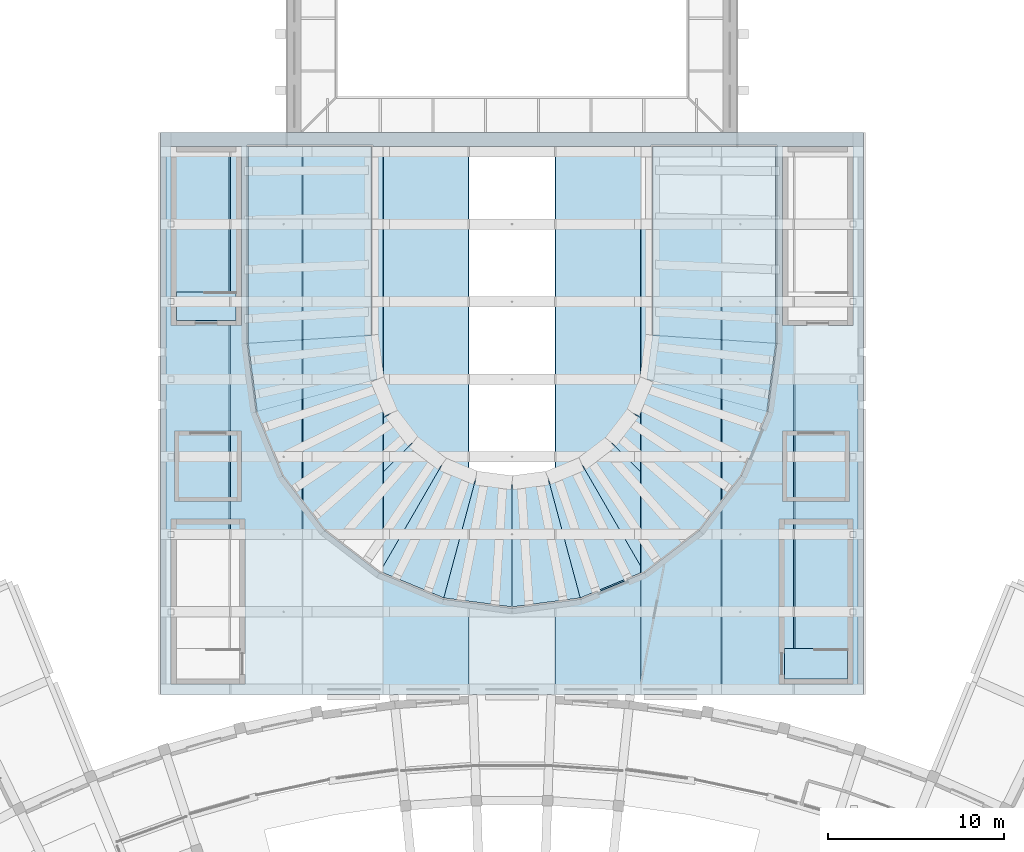
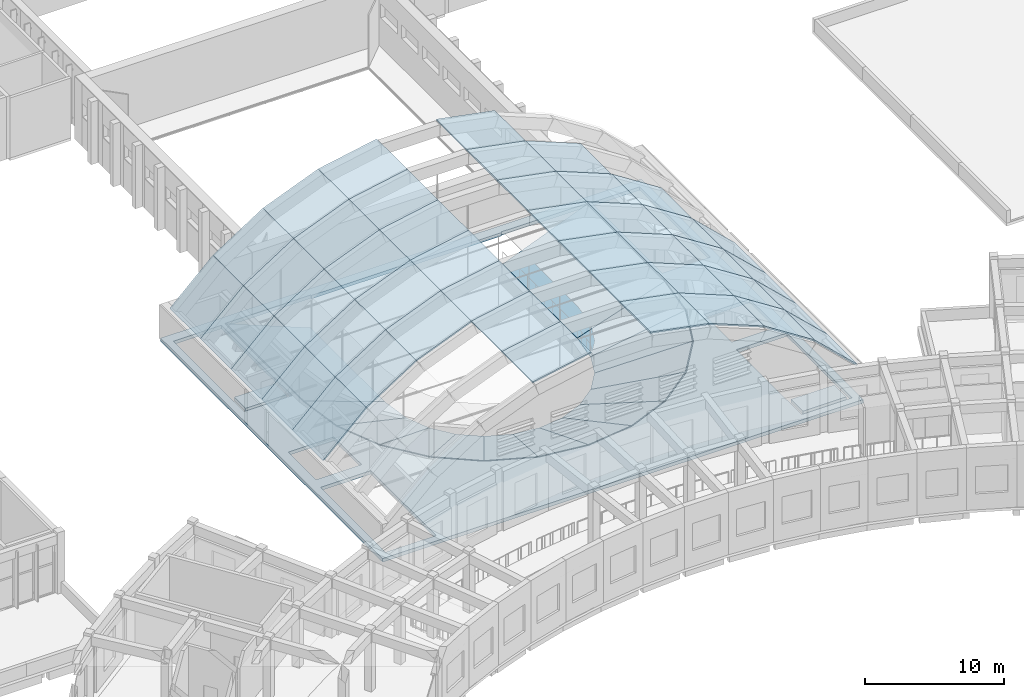
# One storey, part 56 of 94: 61 slabs.
"""IFC4 building model written with IfcOpenShell, lengths in metres."""

from ifc_helpers import new_model, si_unit, direction, frame, origin, place, context, subcontext, project, spatial, polyline, outline, extrude, material, layer, layer_set, type_object, element, save


model = new_model("IFC4")

# Units and contexts
model_context = context("Model", 3, precision=1e-05, world=origin(), true_north=direction((0.0, 1.0)))
body_context = subcontext(model_context, "Body", "Model", "MODEL_VIEW")
ifc_project = project(units=[si_unit("LENGTHUNIT", "METRE"), si_unit("AREAUNIT", "SQUARE_METRE"), si_unit("VOLUMEUNIT", "CUBIC_METRE"), si_unit("PLANEANGLEUNIT", "RADIAN"), si_unit("MASSUNIT", "GRAM", prefix="KILO")], contexts=[model_context])

# Site, building, storey
site_placement = place(None, origin())
site = spatial("IfcSite", under=ifc_project, at=site_placement, CompositionType="ELEMENT")
building_placement = place(site_placement, origin())
building = spatial("IfcBuilding", under=site, at=building_placement, Name="Lunette Opera House", CompositionType="ELEMENT")
storey_placement = place(building_placement, frame((0.0, 0.0, 22.5)))
storey = spatial("IfcBuildingStorey", under=building, at=storey_placement, Name="L04", CompositionType="ELEMENT", Elevation=22.5)

# Slabs
ifc_material_1 = material(Name="Concrete C35/45", Category="concrete")
ifc_layer_1 = layer(ifc_material_1, 0.300048828125)
ifc_layer_set_1 = layer_set([ifc_layer_1], Name="Concrete C35/45")
slab_type_1 = type_object("IfcSlabType", Name="CORE LANDING SLAB 300", PredefinedType="LANDING", material=ifc_layer_set_1)
slab_1_placement = place(storey_placement, frame((0.0, 0.0, -0.300048828125)))
element("IfcSlab", 1, at=slab_1_placement, inside=storey, type_object=slab_type_1, Name="ST10 floor landing", PredefinedType="LANDING", context=body_context, shape_type="SweptSolid", body=[
    extrude(outline(polyline([(80.300048828125, 86.919921875), (80.300048828125, 85.300048828125), (76.89990234375, 85.300048828125), (76.89990234375, 86.929931640625), (78.52001953125, 86.929931640625), (78.52001953125, 86.919921875), (80.300048828125, 86.919921875)])), origin(), (0.0, 0.0, 1.0), 0.300048828125),
])
slab_2_placement = place(storey_placement, frame((0.0, 0.0, -0.300048828125)))
element("IfcSlab", 2, at=slab_2_placement, inside=storey, type_object=slab_type_1, Name="ST8 floor landing", PredefinedType="LANDING", context=body_context, shape_type="SweptSolid", body=[
    extrude(outline(polyline([(115.10009765625, 66.6201171875), (115.10009765625, 64.89990234375), (111.5, 64.89990234375), (111.5, 66.6298828125), (113.219970703125, 66.6298828125), (113.219970703125, 66.6201171875), (115.10009765625, 66.6201171875)])), origin(), (0.0, 0.0, 1.0), 0.300048828125),
])
ifc_material_2 = material(Name="Concrete C35/45", Category="concrete")
ifc_layer_2 = layer(ifc_material_2, 0.300048828125)
ifc_layer_set_2 = layer_set([ifc_layer_2], Name="Concrete C35/45")
slab_type_2 = type_object("IfcSlabType", Name="FLOOR SLAB 300", PredefinedType="FLOOR", material=ifc_layer_set_2)
slab_3_placement = place(storey_placement, frame((0.0, 0.0, -0.300048828125)))
element("IfcSlab", 3, at=slab_3_placement, inside=storey, type_object=slab_type_2, Name="slab-AU-L04-F1", PredefinedType="FLOOR", context=body_context, shape_type="SweptSolid", body=[
    extrude(outline(polyline([(116.0, 96.0), (76.0, 96.0), (76.0, 64.0), (116.0, 64.0), (116.0, 96.0)]), holes=[polyline([(88.080078125, 95.199951171875), (103.919921875, 95.199951171875), (103.919921875, 95.280029296875), (111.080078125, 95.280029296875), (111.080078125, 83.9951171875), (110.56689453125, 80.096923828125), (109.06005859375, 76.4599609375), (106.6640625, 73.3359375), (103.5400390625, 70.93994140625), (99.903076171875, 69.43310546875), (96.0, 68.9189453125), (92.096923828125, 69.43310546875), (88.4599609375, 70.93994140625), (85.3359375, 73.3359375), (82.93994140625, 76.4599609375), (81.43310546875, 80.096923828125), (80.919921875, 83.9951171875), (80.919921875, 95.280029296875), (88.080078125, 95.280029296875), (88.080078125, 95.199951171875)]), polyline([(80.800048828125, 64.60009765625), (76.60009765625, 64.60009765625), (76.60009765625, 74.0), (80.800048828125, 74.0), (80.800048828125, 64.60009765625)]), polyline([(111.199951171875, 64.60009765625), (111.199951171875, 74.0), (115.39990234375, 74.0), (115.39990234375, 64.60009765625), (111.199951171875, 64.60009765625)]), polyline([(76.800048828125, 75.0), (76.800048828125, 79.0), (80.60009765625, 79.0), (80.60009765625, 75.0), (76.800048828125, 75.0)]), polyline([(115.199951171875, 75.0), (111.39990234375, 75.0), (111.39990234375, 79.0), (115.199951171875, 79.0), (115.199951171875, 75.0)]), polyline([(76.60009765625, 85.0), (76.60009765625, 95.199951171875), (80.60009765625, 95.199951171875), (80.60009765625, 85.0), (76.60009765625, 85.0)]), polyline([(111.39990234375, 85.0), (111.39990234375, 95.199951171875), (115.39990234375, 95.199951171875), (115.39990234375, 85.0), (111.39990234375, 85.0)])]), origin(), (0.0, 0.0, 1.0), 0.300048828125),
])
ifc_material_3 = material(Name="Concrete C40/50", Category="concrete")
ifc_layer_3 = layer(ifc_material_3, 0.1201171875)
ifc_layer_set_3 = layer_set([ifc_layer_3], Name="Concrete C40/50")
slab_type_3 = type_object("IfcSlabType", Name="SHELL STRIP 120", PredefinedType="ROOF", material=ifc_layer_set_3)
for number, where, z_axis, x_axis, name in (
    (4, (88.656005859375, 64.300048828125, 10.944091796875), (-0.189280439254, 0.0, 0.981923069958), (0.981923069958, 0.0, 0.189280439254), "slab-AU-L04-BS1-4"),
    (5, (98.47802734375, 64.300048828125, 11.882080078125), (0.189280439254, 0.0, 0.981923069958), (0.981923069958, 0.0, -0.189280439254), "slab-AU-L04-BS1-6"),
):
    element("IfcSlab", number, at=place(storey_placement, frame(where, z_axis=z_axis, x_axis=x_axis)), inside=storey, type_object=slab_type_3, Name=name, PredefinedType="ROOF", context=body_context, shape_type="SweptSolid", body=[
        extrude(outline(polyline([(0.0, 0.0), (4.955547889391473, 0.0), (4.955547889391473, 4.4140625), (0.0, 4.4140625), (0.0, 0.0)])), origin(), (0.0, 0.0, -1.0), 0.1201171875),
    ])
slab_4_placement = place(storey_placement, frame((103.343994140625, 64.300048828125, 10.944091796875), z_axis=(0.371840739354, 0.0, 0.928296539128), x_axis=(0.928296539128, 0.0, -0.371840739354)))
element("IfcSlab", 6, at=slab_4_placement, inside=storey, type_object=slab_type_3, Name="slab-AU-L04-BS1-7", PredefinedType="ROOF", context=body_context, shape_type="SweptSolid", body=[
    extrude(outline(polyline([(0.0, 0.0), (4.9564702924282384, 0.0), (4.9564702924282384, 4.4140625), (0.0, 4.4140625), (0.0, 0.0)])), origin(), (0.0, 0.0, -1.0), 0.1201171875),
])
slab_5_placement = place(storey_placement, frame((107.945068359375, 64.300048828125, 9.10107421875), z_axis=(0.540777508608, 0.0, 0.841165671068), x_axis=(0.841165671068, 0.0, -0.540777508608)))
element("IfcSlab", 7, at=slab_5_placement, inside=storey, type_object=slab_type_3, Name="slab-AU-L04-BS1-8", PredefinedType="ROOF", context=body_context, shape_type="SweptSolid", body=[
    extrude(outline(polyline([(0.0, 0.0), (4.956152463051835, 0.0), (4.956152463051835, 4.4140625), (0.0, 4.4140625), (0.0, 0.0)])), origin(), (0.0, 0.0, -1.0), 0.1201171875),
])
slab_6_placement = place(storey_placement, frame((112.114013671875, 64.300048828125, 6.4208984375), z_axis=(0.690260134545, 0.0, 0.723561294333), x_axis=(0.723561294333, 0.0, -0.690260134545)))
element("IfcSlab", 8, at=slab_6_placement, inside=storey, type_object=slab_type_3, Name="slab-AU-L04-BS1-9", PredefinedType="ROOF", context=body_context, shape_type="SweptSolid", body=[
    extrude(outline(polyline([(0.0, 0.0), (4.955955394633429, 0.0), (4.955955394633429, 4.4140625), (0.0, 4.4140625), (0.0, 0.0)])), origin(), (0.0, 0.0, -1.0), 0.1201171875),
])
for number, where, z_axis, x_axis, name in (
    (9, (88.656005859375, 68.714111328125, 10.944091796875), (-0.189280439254, 0.0, 0.981923069958), (0.981923069958, 0.0, 0.189280439254), "slab-AU-L04-BS2-4"),
    (10, (98.47802734375, 68.714111328125, 11.882080078125), (0.189280439254, 0.0, 0.981923069958), (0.981923069958, 0.0, -0.189280439254), "slab-AU-L04-BS2-6"),
):
    element("IfcSlab", number, at=place(storey_placement, frame(where, z_axis=z_axis, x_axis=x_axis)), inside=storey, type_object=slab_type_3, Name=name, PredefinedType="ROOF", context=body_context, shape_type="SweptSolid", body=[
        extrude(outline(polyline([(0.0, 0.0), (4.955547889391473, 0.0), (4.955547889391473, 4.414794921875), (0.0, 4.414794921875), (0.0, 0.0)])), origin(), (0.0, 0.0, -1.0), 0.1201171875),
    ])
slab_7_placement = place(storey_placement, frame((103.343994140625, 68.714111328125, 10.944091796875), z_axis=(0.371840739354, 0.0, 0.928296539128), x_axis=(0.928296539128, 0.0, -0.371840739354)))
element("IfcSlab", 11, at=slab_7_placement, inside=storey, type_object=slab_type_3, Name="slab-AU-L04-BS2-7", PredefinedType="ROOF", context=body_context, shape_type="SweptSolid", body=[
    extrude(outline(polyline([(0.0, 0.0), (4.9564702924282384, 0.0), (4.9564702924282384, 4.414794921875), (0.0, 4.414794921875), (0.0, 0.0)])), origin(), (0.0, 0.0, -1.0), 0.1201171875),
])
slab_8_placement = place(storey_placement, frame((107.945068359375, 68.714111328125, 9.10107421875), z_axis=(0.540777508608, 0.0, 0.841165671068), x_axis=(0.841165671068, 0.0, -0.540777508608)))
element("IfcSlab", 12, at=slab_8_placement, inside=storey, type_object=slab_type_3, Name="slab-AU-L04-BS2-8", PredefinedType="ROOF", context=body_context, shape_type="SweptSolid", body=[
    extrude(outline(polyline([(0.0, 0.0), (4.956152463051835, 0.0), (4.956152463051835, 4.414794921875), (0.0, 4.414794921875), (0.0, 0.0)])), origin(), (0.0, 0.0, -1.0), 0.1201171875),
])
slab_9_placement = place(storey_placement, frame((112.114013671875, 68.714111328125, 6.4208984375), z_axis=(0.690260134545, 0.0, 0.723561294333), x_axis=(0.723561294333, 0.0, -0.690260134545)))
element("IfcSlab", 13, at=slab_9_placement, inside=storey, type_object=slab_type_3, Name="slab-AU-L04-BS2-9", PredefinedType="ROOF", context=body_context, shape_type="SweptSolid", body=[
    extrude(outline(polyline([(0.0, 0.0), (4.955955394633429, 0.0), (4.955955394633429, 4.414794921874999), (0.0, 4.414794921874999), (0.0, 0.0)])), origin(), (0.0, 0.0, -1.0), 0.1201171875),
])
slab_10_placement = place(storey_placement, frame((76.300048828125, 73.12890625, 3.0), z_axis=(-0.690260134545, 0.0, 0.723561294333), x_axis=(0.723561294333, 0.0, 0.690260134545)))
element("IfcSlab", 14, at=slab_10_placement, inside=storey, type_object=slab_type_3, Name="slab-AU-L04-BS3-1", PredefinedType="ROOF", context=body_context, shape_type="SweptSolid", body=[
    extrude(outline(polyline([(0.0, 0.0), (4.955955394633429, 0.0), (4.955955394633429, 4.4140625), (0.0, 4.4140625), (0.0, 0.0)])), origin(), (0.0, 0.0, -1.0), 0.1201171875),
])
slab_11_placement = place(storey_placement, frame((79.885986328125, 73.12890625, 6.4208984375), z_axis=(-0.540777508608, 0.0, 0.841165671068), x_axis=(0.841165671068, 0.0, 0.540777508608)))
element("IfcSlab", 15, at=slab_11_placement, inside=storey, type_object=slab_type_3, Name="slab-AU-L04-BS3-2", PredefinedType="ROOF", context=body_context, shape_type="SweptSolid", body=[
    extrude(outline(polyline([(0.0, 0.0), (4.956152463051835, 0.0), (4.956152463051835, 4.4140625), (0.0, 4.4140625), (0.0, 0.0)])), origin(), (0.0, 0.0, -1.0), 0.1201171875),
])
slab_12_placement = place(storey_placement, frame((84.054931640625, 73.12890625, 9.10107421875), z_axis=(-0.371840739354, 0.0, 0.928296539128), x_axis=(0.928296539128, 0.0, 0.371840739354)))
element("IfcSlab", 16, at=slab_12_placement, inside=storey, type_object=slab_type_3, Name="slab-AU-L04-BS3-3", PredefinedType="ROOF", context=body_context, shape_type="SweptSolid", body=[
    extrude(outline(polyline([(0.0, 0.0), (4.9564702924282384, 0.0), (4.9564702924282384, 4.4140625), (0.0, 4.4140625), (0.0, 0.0)])), origin(), (0.0, 0.0, -1.0), 0.1201171875),
])
for number, where, z_axis, x_axis, name in (
    (17, (88.656005859375, 73.12890625, 10.944091796875), (-0.189280439254, 0.0, 0.981923069958), (0.981923069958, 0.0, 0.189280439254), "slab-AU-L04-BS3-4"),
    (18, (98.47802734375, 73.12890625, 11.882080078125), (0.189280439254, 0.0, 0.981923069958), (0.981923069958, 0.0, -0.189280439254), "slab-AU-L04-BS3-6"),
):
    element("IfcSlab", number, at=place(storey_placement, frame(where, z_axis=z_axis, x_axis=x_axis)), inside=storey, type_object=slab_type_3, Name=name, PredefinedType="ROOF", context=body_context, shape_type="SweptSolid", body=[
        extrude(outline(polyline([(0.0, 0.0), (4.955547889391473, 0.0), (4.955547889391473, 4.4140625), (0.0, 4.4140625), (0.0, 0.0)])), origin(), (0.0, 0.0, -1.0), 0.1201171875),
    ])
slab_13_placement = place(storey_placement, frame((103.343994140625, 73.12890625, 10.944091796875), z_axis=(0.371840739354, 0.0, 0.928296539128), x_axis=(0.928296539128, 0.0, -0.371840739354)))
element("IfcSlab", 19, at=slab_13_placement, inside=storey, type_object=slab_type_3, Name="slab-AU-L04-BS3-7", PredefinedType="ROOF", context=body_context, shape_type="SweptSolid", body=[
    extrude(outline(polyline([(0.0, 0.0), (4.9564702924282384, 0.0), (4.9564702924282384, 4.4140625), (0.0, 4.4140625), (0.0, 0.0)])), origin(), (0.0, 0.0, -1.0), 0.1201171875),
])
slab_14_placement = place(storey_placement, frame((107.945068359375, 73.12890625, 9.10107421875), z_axis=(0.540777508608, 0.0, 0.841165671068), x_axis=(0.841165671068, 0.0, -0.540777508608)))
element("IfcSlab", 20, at=slab_14_placement, inside=storey, type_object=slab_type_3, Name="slab-AU-L04-BS3-8", PredefinedType="ROOF", context=body_context, shape_type="SweptSolid", body=[
    extrude(outline(polyline([(0.0, 0.0), (4.956152463051835, 0.0), (4.956152463051835, 4.4140625), (0.0, 4.4140625), (0.0, 0.0)])), origin(), (0.0, 0.0, -1.0), 0.1201171875),
])
for number, where, z_axis, x_axis, name in (
    (21, (112.114013671875, 73.12890625, 6.4208984375), (0.690260134545, 0.0, 0.723561294333), (0.723561294333, 0.0, -0.690260134545), "slab-AU-L04-BS3-9"),
    (22, (76.300048828125, 77.54296875, 3.0), (-0.690260134545, 0.0, 0.723561294333), (0.723561294333, 0.0, 0.690260134545), "slab-AU-L04-BS4-1"),
):
    element("IfcSlab", number, at=place(storey_placement, frame(where, z_axis=z_axis, x_axis=x_axis)), inside=storey, type_object=slab_type_3, Name=name, PredefinedType="ROOF", context=body_context, shape_type="SweptSolid", body=[
        extrude(outline(polyline([(0.0, 0.0), (4.955955394633429, 0.0), (4.955955394633429, 4.4140625), (0.0, 4.4140625), (0.0, 0.0)])), origin(), (0.0, 0.0, -1.0), 0.1201171875),
    ])
slab_15_placement = place(storey_placement, frame((79.885986328125, 77.54296875, 6.4208984375), z_axis=(-0.540777508608, 0.0, 0.841165671068), x_axis=(0.841165671068, 0.0, 0.540777508608)))
element("IfcSlab", 23, at=slab_15_placement, inside=storey, type_object=slab_type_3, Name="slab-AU-L04-BS4-2", PredefinedType="ROOF", context=body_context, shape_type="SweptSolid", body=[
    extrude(outline(polyline([(0.0, 0.0), (4.956152463051835, 0.0), (4.956152463051835, 4.4140625), (0.0, 4.4140625), (0.0, 0.0)])), origin(), (0.0, 0.0, -1.0), 0.1201171875),
])
slab_16_placement = place(storey_placement, frame((84.054931640625, 77.54296875, 9.10107421875), z_axis=(-0.371840739354, 0.0, 0.928296539128), x_axis=(0.928296539128, 0.0, 0.371840739354)))
element("IfcSlab", 24, at=slab_16_placement, inside=storey, type_object=slab_type_3, Name="slab-AU-L04-BS4-3", PredefinedType="ROOF", context=body_context, shape_type="SweptSolid", body=[
    extrude(outline(polyline([(0.0, 0.0), (4.9564702924282384, 0.0), (4.9564702924282384, 4.4140625), (0.0, 4.4140625), (0.0, 0.0)])), origin(), (0.0, 0.0, -1.0), 0.1201171875),
])
for number, where, z_axis, x_axis, name in (
    (25, (88.656005859375, 77.54296875, 10.944091796875), (-0.189280439254, 0.0, 0.981923069958), (0.981923069958, 0.0, 0.189280439254), "slab-AU-L04-BS4-4"),
    (26, (98.47802734375, 77.54296875, 11.882080078125), (0.189280439254, 0.0, 0.981923069958), (0.981923069958, 0.0, -0.189280439254), "slab-AU-L04-BS4-6"),
):
    element("IfcSlab", number, at=place(storey_placement, frame(where, z_axis=z_axis, x_axis=x_axis)), inside=storey, type_object=slab_type_3, Name=name, PredefinedType="ROOF", context=body_context, shape_type="SweptSolid", body=[
        extrude(outline(polyline([(0.0, 0.0), (4.955547889391473, 0.0), (4.955547889391473, 4.4140625), (0.0, 4.4140625), (0.0, 0.0)])), origin(), (0.0, 0.0, -1.0), 0.1201171875),
    ])
slab_17_placement = place(storey_placement, frame((103.343994140625, 77.54296875, 10.944091796875), z_axis=(0.371840739354, 0.0, 0.928296539128), x_axis=(0.928296539128, 0.0, -0.371840739354)))
element("IfcSlab", 27, at=slab_17_placement, inside=storey, type_object=slab_type_3, Name="slab-AU-L04-BS4-7", PredefinedType="ROOF", context=body_context, shape_type="SweptSolid", body=[
    extrude(outline(polyline([(0.0, 0.0), (4.9564702924282384, 0.0), (4.9564702924282384, 4.4140625), (0.0, 4.4140625), (0.0, 0.0)])), origin(), (0.0, 0.0, -1.0), 0.1201171875),
])
slab_18_placement = place(storey_placement, frame((107.945068359375, 77.54296875, 9.10107421875), z_axis=(0.540777508608, 0.0, 0.841165671068), x_axis=(0.841165671068, 0.0, -0.540777508608)))
element("IfcSlab", 28, at=slab_18_placement, inside=storey, type_object=slab_type_3, Name="slab-AU-L04-BS4-8", PredefinedType="ROOF", context=body_context, shape_type="SweptSolid", body=[
    extrude(outline(polyline([(0.0, 0.0), (4.956152463051835, 0.0), (4.956152463051835, 4.4140625), (0.0, 4.4140625), (0.0, 0.0)])), origin(), (0.0, 0.0, -1.0), 0.1201171875),
])
for number, where, z_axis, x_axis, name in (
    (29, (112.114013671875, 77.54296875, 6.4208984375), (0.690260134545, 0.0, 0.723561294333), (0.723561294333, 0.0, -0.690260134545), "slab-AU-L04-BS4-9"),
    (30, (76.300048828125, 81.95703125, 3.0), (-0.690260134545, 0.0, 0.723561294333), (0.723561294333, 0.0, 0.690260134545), "slab-AU-L04-BS5-1"),
):
    element("IfcSlab", number, at=place(storey_placement, frame(where, z_axis=z_axis, x_axis=x_axis)), inside=storey, type_object=slab_type_3, Name=name, PredefinedType="ROOF", context=body_context, shape_type="SweptSolid", body=[
        extrude(outline(polyline([(0.0, 0.0), (4.955955394633429, 0.0), (4.955955394633429, 4.4140625), (0.0, 4.4140625), (0.0, 0.0)])), origin(), (0.0, 0.0, -1.0), 0.1201171875),
    ])
slab_19_placement = place(storey_placement, frame((79.885986328125, 81.95703125, 6.4208984375), z_axis=(-0.540777508608, 0.0, 0.841165671068), x_axis=(0.841165671068, 0.0, 0.540777508608)))
element("IfcSlab", 31, at=slab_19_placement, inside=storey, type_object=slab_type_3, Name="slab-AU-L04-BS5-2", PredefinedType="ROOF", context=body_context, shape_type="SweptSolid", body=[
    extrude(outline(polyline([(0.0, 0.0), (4.956152463051835, 0.0), (4.956152463051835, 4.4140625), (0.0, 4.4140625), (0.0, 0.0)])), origin(), (0.0, 0.0, -1.0), 0.1201171875),
])
slab_20_placement = place(storey_placement, frame((84.054931640625, 81.95703125, 9.10107421875), z_axis=(-0.371840739354, 0.0, 0.928296539128), x_axis=(0.928296539128, 0.0, 0.371840739354)))
element("IfcSlab", 32, at=slab_20_placement, inside=storey, type_object=slab_type_3, Name="slab-AU-L04-BS5-3", PredefinedType="ROOF", context=body_context, shape_type="SweptSolid", body=[
    extrude(outline(polyline([(0.0, 0.0), (4.9564702924282384, 0.0), (4.9564702924282384, 4.4140625), (0.0, 4.4140625), (0.0, 0.0)])), origin(), (0.0, 0.0, -1.0), 0.1201171875),
])
for number, where, z_axis, x_axis, name in (
    (33, (88.656005859375, 81.95703125, 10.944091796875), (-0.189280439254, 0.0, 0.981923069958), (0.981923069958, 0.0, 0.189280439254), "slab-AU-L04-BS5-4"),
    (34, (98.47802734375, 81.95703125, 11.882080078125), (0.189280439254, 0.0, 0.981923069958), (0.981923069958, 0.0, -0.189280439254), "slab-AU-L04-BS5-6"),
):
    element("IfcSlab", number, at=place(storey_placement, frame(where, z_axis=z_axis, x_axis=x_axis)), inside=storey, type_object=slab_type_3, Name=name, PredefinedType="ROOF", context=body_context, shape_type="SweptSolid", body=[
        extrude(outline(polyline([(0.0, 0.0), (4.955547889391473, 0.0), (4.955547889391473, 4.4140625), (0.0, 4.4140625), (0.0, 0.0)])), origin(), (0.0, 0.0, -1.0), 0.1201171875),
    ])
slab_21_placement = place(storey_placement, frame((103.343994140625, 81.95703125, 10.944091796875), z_axis=(0.371840739354, 0.0, 0.928296539128), x_axis=(0.928296539128, 0.0, -0.371840739354)))
element("IfcSlab", 35, at=slab_21_placement, inside=storey, type_object=slab_type_3, Name="slab-AU-L04-BS5-7", PredefinedType="ROOF", context=body_context, shape_type="SweptSolid", body=[
    extrude(outline(polyline([(0.0, 0.0), (4.9564702924282384, 0.0), (4.9564702924282384, 4.4140625), (0.0, 4.4140625), (0.0, 0.0)])), origin(), (0.0, 0.0, -1.0), 0.1201171875),
])
slab_22_placement = place(storey_placement, frame((107.945068359375, 81.95703125, 9.10107421875), z_axis=(0.540777508608, 0.0, 0.841165671068), x_axis=(0.841165671068, 0.0, -0.540777508608)))
element("IfcSlab", 36, at=slab_22_placement, inside=storey, type_object=slab_type_3, Name="slab-AU-L04-BS5-8", PredefinedType="ROOF", context=body_context, shape_type="SweptSolid", body=[
    extrude(outline(polyline([(0.0, 0.0), (4.956152463051835, 0.0), (4.956152463051835, 4.4140625), (0.0, 4.4140625), (0.0, 0.0)])), origin(), (0.0, 0.0, -1.0), 0.1201171875),
])
slab_23_placement = place(storey_placement, frame((76.300048828125, 86.37109375, 3.0), z_axis=(-0.690260134545, 0.0, 0.723561294333), x_axis=(0.723561294333, 0.0, 0.690260134545)))
element("IfcSlab", 37, at=slab_23_placement, inside=storey, type_object=slab_type_3, Name="slab-AU-L04-BS6-1", PredefinedType="ROOF", context=body_context, shape_type="SweptSolid", body=[
    extrude(outline(polyline([(0.0, 0.0), (4.955955394633429, 0.0), (4.955955394633429, 4.414794921874999), (0.0, 4.414794921874999), (0.0, 0.0)])), origin(), (0.0, 0.0, -1.0), 0.1201171875),
])
slab_24_placement = place(storey_placement, frame((79.885986328125, 86.37109375, 6.4208984375), z_axis=(-0.540777508608, 0.0, 0.841165671068), x_axis=(0.841165671068, 0.0, 0.540777508608)))
element("IfcSlab", 38, at=slab_24_placement, inside=storey, type_object=slab_type_3, Name="slab-AU-L04-BS6-2", PredefinedType="ROOF", context=body_context, shape_type="SweptSolid", body=[
    extrude(outline(polyline([(0.0, 0.0), (4.956152463051835, 0.0), (4.956152463051835, 4.414794921875), (0.0, 4.414794921875), (0.0, 0.0)])), origin(), (0.0, 0.0, -1.0), 0.1201171875),
])
slab_25_placement = place(storey_placement, frame((84.054931640625, 86.37109375, 9.10107421875), z_axis=(-0.371840739354, 0.0, 0.928296539128), x_axis=(0.928296539128, 0.0, 0.371840739354)))
element("IfcSlab", 39, at=slab_25_placement, inside=storey, type_object=slab_type_3, Name="slab-AU-L04-BS6-3", PredefinedType="ROOF", context=body_context, shape_type="SweptSolid", body=[
    extrude(outline(polyline([(0.0, 0.0), (4.9564702924282384, 0.0), (4.9564702924282384, 4.414794921875), (0.0, 4.414794921875), (0.0, 0.0)])), origin(), (0.0, 0.0, -1.0), 0.1201171875),
])
for number, where, z_axis, x_axis, name in (
    (40, (88.656005859375, 86.37109375, 10.944091796875), (-0.189280439254, 0.0, 0.981923069958), (0.981923069958, 0.0, 0.189280439254), "slab-AU-L04-BS6-4"),
    (41, (98.47802734375, 86.37109375, 11.882080078125), (0.189280439254, 0.0, 0.981923069958), (0.981923069958, 0.0, -0.189280439254), "slab-AU-L04-BS6-6"),
):
    element("IfcSlab", number, at=place(storey_placement, frame(where, z_axis=z_axis, x_axis=x_axis)), inside=storey, type_object=slab_type_3, Name=name, PredefinedType="ROOF", context=body_context, shape_type="SweptSolid", body=[
        extrude(outline(polyline([(0.0, 0.0), (4.955547889391473, 0.0), (4.955547889391473, 4.414794921875), (0.0, 4.414794921875), (0.0, 0.0)])), origin(), (0.0, 0.0, -1.0), 0.1201171875),
    ])
slab_26_placement = place(storey_placement, frame((103.343994140625, 86.37109375, 10.944091796875), z_axis=(0.371840739354, 0.0, 0.928296539128), x_axis=(0.928296539128, 0.0, -0.371840739354)))
element("IfcSlab", 42, at=slab_26_placement, inside=storey, type_object=slab_type_3, Name="slab-AU-L04-BS6-7", PredefinedType="ROOF", context=body_context, shape_type="SweptSolid", body=[
    extrude(outline(polyline([(0.0, 0.0), (4.9564702924282384, 0.0), (4.9564702924282384, 4.414794921875), (0.0, 4.414794921875), (0.0, 0.0)])), origin(), (0.0, 0.0, -1.0), 0.1201171875),
])
slab_27_placement = place(storey_placement, frame((76.300048828125, 90.785888671875, 3.0), z_axis=(-0.690260134545, 0.0, 0.723561294333), x_axis=(0.723561294333, 0.0, 0.690260134545)))
element("IfcSlab", 43, at=slab_27_placement, inside=storey, type_object=slab_type_3, Name="slab-AU-L04-BS7-1", PredefinedType="ROOF", context=body_context, shape_type="SweptSolid", body=[
    extrude(outline(polyline([(0.0, 0.0), (4.955955394633429, 0.0), (4.955955394633429, 4.4140625), (0.0, 4.4140625), (0.0, 0.0)])), origin(), (0.0, 0.0, -1.0), 0.1201171875),
])
slab_28_placement = place(storey_placement, frame((79.885986328125, 90.785888671875, 6.4208984375), z_axis=(-0.540777508608, 0.0, 0.841165671068), x_axis=(0.841165671068, 0.0, 0.540777508608)))
element("IfcSlab", 44, at=slab_28_placement, inside=storey, type_object=slab_type_3, Name="slab-AU-L04-BS7-2", PredefinedType="ROOF", context=body_context, shape_type="SweptSolid", body=[
    extrude(outline(polyline([(0.0, 0.0), (4.956152463051835, 0.0), (4.956152463051835, 4.4140625), (0.0, 4.4140625), (0.0, 0.0)])), origin(), (0.0, 0.0, -1.0), 0.1201171875),
])
slab_29_placement = place(storey_placement, frame((84.054931640625, 90.785888671875, 9.10107421875), z_axis=(-0.371840739354, 0.0, 0.928296539128), x_axis=(0.928296539128, 0.0, 0.371840739354)))
element("IfcSlab", 45, at=slab_29_placement, inside=storey, type_object=slab_type_3, Name="slab-AU-L04-BS7-3", PredefinedType="ROOF", context=body_context, shape_type="SweptSolid", body=[
    extrude(outline(polyline([(0.0, 0.0), (4.9564702924282384, 0.0), (4.9564702924282384, 4.4140625), (0.0, 4.4140625), (0.0, 0.0)])), origin(), (0.0, 0.0, -1.0), 0.1201171875),
])
for number, where, z_axis, x_axis, name in (
    (46, (88.656005859375, 90.785888671875, 10.944091796875), (-0.189280439254, 0.0, 0.981923069958), (0.981923069958, 0.0, 0.189280439254), "slab-AU-L04-BS7-4"),
    (47, (98.47802734375, 90.785888671875, 11.882080078125), (0.189280439254, 0.0, 0.981923069958), (0.981923069958, 0.0, -0.189280439254), "slab-AU-L04-BS7-6"),
):
    element("IfcSlab", number, at=place(storey_placement, frame(where, z_axis=z_axis, x_axis=x_axis)), inside=storey, type_object=slab_type_3, Name=name, PredefinedType="ROOF", context=body_context, shape_type="SweptSolid", body=[
        extrude(outline(polyline([(0.0, 0.0), (4.955547889391473, 0.0), (4.955547889391473, 4.4140625), (0.0, 4.4140625), (0.0, 0.0)])), origin(), (0.0, 0.0, -1.0), 0.1201171875),
    ])
ifc_material_4 = material(Name="Concrete C35/45", Category="concrete")
ifc_layer_4 = layer(ifc_material_4, 0.199951171875)
ifc_layer_set_4 = layer_set([ifc_layer_4], Name="Concrete C35/45")
slab_type_4 = type_object("IfcSlabType", Name="TIER SLAB 200", PredefinedType="FLOOR", material=ifc_layer_set_4)
slab_30_placement = place(storey_placement, frame((81.0, 95.199951171875, 0.0), z_axis=(0.371396259558, 0.0, 0.928474457584), x_axis=(0.0, -1.0, 0.0)))
element("IfcSlab", 48, at=slab_30_placement, inside=storey, type_object=slab_type_4, Name="slab-AU-L04-T3-01", PredefinedType="FLOOR", context=body_context, shape_type="SweptSolid", body=[
    extrude(outline(polyline([(0.0, 0.0), (11.199951171875, 0.0), (10.740966796875, 7.539248864434983), (0.0, 7.539248864434983), (0.0, 0.0)])), origin(), (0.0, 0.0, -1.0), 0.199951171875),
])
slab_31_placement = place(storey_placement, frame((81.0, 84.0, 0.0), z_axis=(0.368213633983, 0.048475792946, 0.928476611039), x_axis=(0.130504556923, -0.99144770944, 8.246545e-06)))
element("IfcSlab", 49, at=slab_31_placement, inside=storey, type_object=slab_type_4, Name="slab-AU-L04-T3-02", PredefinedType="FLOOR", context=body_context, shape_type="SweptSolid", body=[
    extrude(outline(polyline([(0.0, 0.0), (3.915565445666337, -5.551115123125783e-17), (2.9940702211997303, 7.539424635153976), (0.4584498004736849, 7.539281389868302), (0.0, 0.0)])), origin(), (0.0, 0.0, -1.0), 0.199951171875),
])
slab_32_placement = place(storey_placement, frame((81.510986328125, 80.117919921875, 0.0), z_axis=(0.343129446735, 0.142139136299, 0.928471135101), x_axis=(0.382767842276, -0.923844563888, -2.6333142e-05)))
element("IfcSlab", 50, at=slab_32_placement, inside=storey, type_object=slab_type_4, Name="slab-AU-L04-T3-03", PredefinedType="FLOOR", context=body_context, shape_type="SweptSolid", body=[
    extrude(outline(polyline([(0.0, 0.0), (3.9161736191003853, -2.220446049250313e-16), (2.9952967977294467, 7.5388679073239935), (0.9225754327753016, 7.539292528983991), (0.0, 0.0)])), origin(), (0.0, 0.0, -1.0), 0.199951171875),
])
slab_33_placement = place(storey_placement, frame((83.010009765625, 76.5, 0.0), z_axis=(0.294661424152, 0.226068605478, 0.928475972082), x_axis=(0.608618256953, -0.793463178335, 4.3934217e-05)))
element("IfcSlab", 51, at=slab_33_placement, inside=storey, type_object=slab_type_4, Name="slab-AU-L04-T3-04", PredefinedType="FLOOR", context=body_context, shape_type="SweptSolid", body=[
    extrude(outline(polyline([(0.0, 0.0), (3.91560918300972, -2.220446049250313e-16), (2.9925702746330813, 7.539679785752867), (0.9200290604980516, 7.538971411941043), (0.0, 0.0)])), origin(), (0.0, 0.0, -1.0), 0.199951171875),
])
slab_34_placement = place(storey_placement, frame((85.39306640625, 73.39306640625, 0.0), z_axis=(0.226068605478, 0.294661424152, 0.928475972082), x_axis=(0.793463178335, -0.608618256953, -4.3934217e-05)))
element("IfcSlab", 52, at=slab_34_placement, inside=storey, type_object=slab_type_4, Name="slab-AU-L04-T3-05", PredefinedType="FLOOR", context=body_context, shape_type="SweptSolid", body=[
    extrude(outline(polyline([(0.0, 0.0), (3.91560918300972, 2.220446049250313e-16), (2.995580122511669, 7.538971411941043), (0.9230389083766383, 7.539679785752869), (0.0, 0.0)])), origin(), (0.0, 0.0, -1.0), 0.199951171875),
])
slab_35_placement = place(storey_placement, frame((88.5, 71.010009765625, 0.0), z_axis=(0.142139136299, 0.343129446735, 0.928471135101), x_axis=(0.923844563888, -0.382767842276, 2.6333142e-05)))
element("IfcSlab", 53, at=slab_35_placement, inside=storey, type_object=slab_type_4, Name="slab-AU-L04-T3-06", PredefinedType="FLOOR", context=body_context, shape_type="SweptSolid", body=[
    extrude(outline(polyline([(0.0, 0.0), (3.9161736191003853, 2.220446049250313e-16), (2.9935981863250833, 7.539292528983991), (0.9208768213709387, 7.5388679073239935), (0.0, 0.0)])), origin(), (0.0, 0.0, -1.0), 0.199951171875),
])
slab_36_placement = place(storey_placement, frame((92.117919921875, 69.510986328125, 0.0), z_axis=(0.048499271041, 0.368218942607, 0.928473279645), x_axis=(0.99144661435, -0.130512873082, -2.9215648e-05)))
element("IfcSlab", 54, at=slab_36_placement, inside=storey, type_object=slab_type_4, Name="slab-AU-L04-T3-07", PredefinedType="FLOOR", context=body_context, shape_type="SweptSolid", body=[
    extrude(outline(polyline([(0.0, 0.0), (3.9155654438823193, -5.551115123125783e-17), (2.9942187179263433, 7.538953573438246), (0.9214952213184255, 7.539424634612238), (0.0, 0.0)])), origin(), (0.0, 0.0, -1.0), 0.199951171875),
])
slab_37_placement = place(storey_placement, frame((96.0, 69.0, 0.0), z_axis=(-0.048499271041, 0.368218942607, 0.928473279645), x_axis=(0.99144661435, 0.130512873082, 2.9215648e-05)))
element("IfcSlab", 55, at=slab_37_placement, inside=storey, type_object=slab_type_4, Name="slab-AU-L04-T3-08", PredefinedType="FLOOR", context=body_context, shape_type="SweptSolid", body=[
    extrude(outline(polyline([(0.0, 0.0), (3.9155654438823193, 5.551115123125783e-17), (2.9940702225638938, 7.539424634612237), (0.9213467259559761, 7.538953573438246), (0.0, 0.0)])), origin(), (0.0, 0.0, -1.0), 0.199951171875),
])
slab_38_placement = place(storey_placement, frame((99.882080078125, 69.510986328125, 0.0), z_axis=(-0.142139136299, 0.343129446735, 0.928471135101), x_axis=(0.923844563888, 0.382767842276, -2.6333142e-05)))
element("IfcSlab", 56, at=slab_38_placement, inside=storey, type_object=slab_type_4, Name="slab-AU-L04-T3-09", PredefinedType="FLOOR", context=body_context, shape_type="SweptSolid", body=[
    extrude(outline(polyline([(0.0, 0.0), (3.9161736191003853, -2.220446049250313e-16), (2.9952967977294467, 7.5388679073239935), (0.9225754327753016, 7.539292528983991), (0.0, 0.0)])), origin(), (0.0, 0.0, -1.0), 0.199951171875),
])
slab_39_placement = place(storey_placement, frame((103.5, 71.010009765625, 0.0), z_axis=(-0.226068605478, 0.294661424152, 0.928475972082), x_axis=(0.793463178335, 0.608618256953, 4.3934217e-05)))
element("IfcSlab", 57, at=slab_39_placement, inside=storey, type_object=slab_type_4, Name="slab-AU-L04-T3-10", PredefinedType="FLOOR", context=body_context, shape_type="SweptSolid", body=[
    extrude(outline(polyline([(0.0, 0.0), (3.91560918300972, -2.220446049250313e-16), (2.9925702746330813, 7.539679785752867), (0.9200290604980516, 7.538971411941043), (0.0, 0.0)])), origin(), (0.0, 0.0, -1.0), 0.199951171875),
])
slab_40_placement = place(storey_placement, frame((106.60693359375, 73.39306640625, 0.0), z_axis=(-0.294661424152, 0.226068605478, 0.928475972082), x_axis=(0.608618256953, 0.793463178335, -4.3934217e-05)))
element("IfcSlab", 58, at=slab_40_placement, inside=storey, type_object=slab_type_4, Name="slab-AU-L04-T3-11", PredefinedType="FLOOR", context=body_context, shape_type="SweptSolid", body=[
    extrude(outline(polyline([(0.0, 0.0), (3.91560918300972, 2.220446049250313e-16), (2.995580122511669, 7.538971411941043), (0.9230389083766383, 7.539679785752869), (0.0, 0.0)])), origin(), (0.0, 0.0, -1.0), 0.199951171875),
])
slab_41_placement = place(storey_placement, frame((108.989990234375, 76.5, 0.0), z_axis=(-0.343129446735, 0.142139136299, 0.928471135101), x_axis=(0.382767842276, 0.923844563888, 2.6333142e-05)))
element("IfcSlab", 59, at=slab_41_placement, inside=storey, type_object=slab_type_4, Name="slab-AU-L04-T3-12", PredefinedType="FLOOR", context=body_context, shape_type="SweptSolid", body=[
    extrude(outline(polyline([(0.0, 0.0), (3.9161736191003853, 2.220446049250313e-16), (2.9935981863250833, 7.539292528983991), (0.9208768213709387, 7.5388679073239935), (0.0, 0.0)])), origin(), (0.0, 0.0, -1.0), 0.199951171875),
])
slab_42_placement = place(storey_placement, frame((110.489013671875, 80.117919921875, 0.0), z_axis=(-0.368213633983, 0.048475792946, 0.928476611039), x_axis=(0.130504556923, 0.99144770944, -8.246545e-06)))
element("IfcSlab", 60, at=slab_42_placement, inside=storey, type_object=slab_type_4, Name="slab-AU-L04-T3-13", PredefinedType="FLOOR", context=body_context, shape_type="SweptSolid", body=[
    extrude(outline(polyline([(0.0, 0.0), (3.915565445666337, 5.551115123125783e-17), (3.4571156451926517, 7.539281389868302), (0.9214952244666066, 7.539424635153977), (0.0, 0.0)])), origin(), (0.0, 0.0, -1.0), 0.199951171875),
])
slab_43_placement = place(storey_placement, frame((111.0, 84.0, 0.0), z_axis=(-0.371396259558, 0.0, 0.928474457584), x_axis=(0.0, 1.0, 0.0)))
element("IfcSlab", 61, at=slab_43_placement, inside=storey, type_object=slab_type_4, Name="slab-AU-L04-T3-14", PredefinedType="FLOOR", context=body_context, shape_type="SweptSolid", body=[
    extrude(outline(polyline([(0.0, 0.0), (11.199951171875, 0.0), (11.199951171875, 7.539248864434983), (0.458984375, 7.539248864434983), (0.0, 0.0)])), origin(), (0.0, 0.0, -1.0), 0.199951171875),
])

save(model, "model.ifc")
